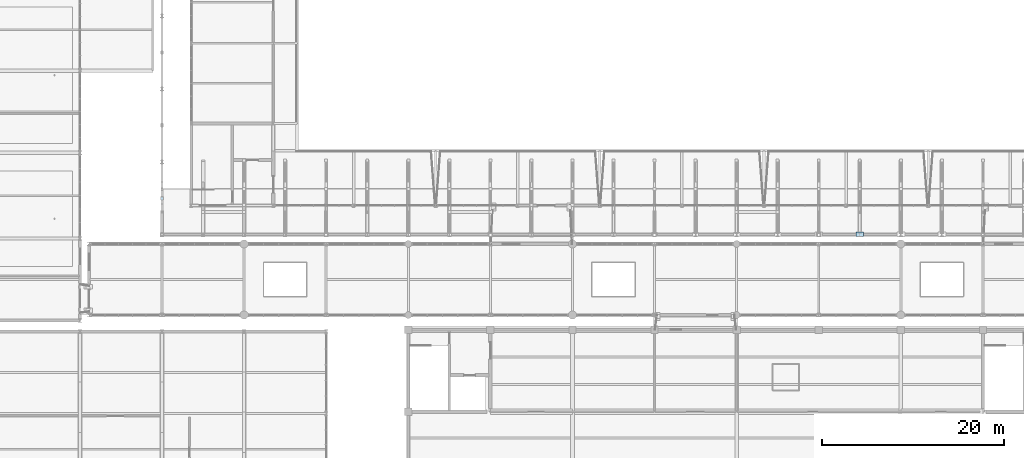
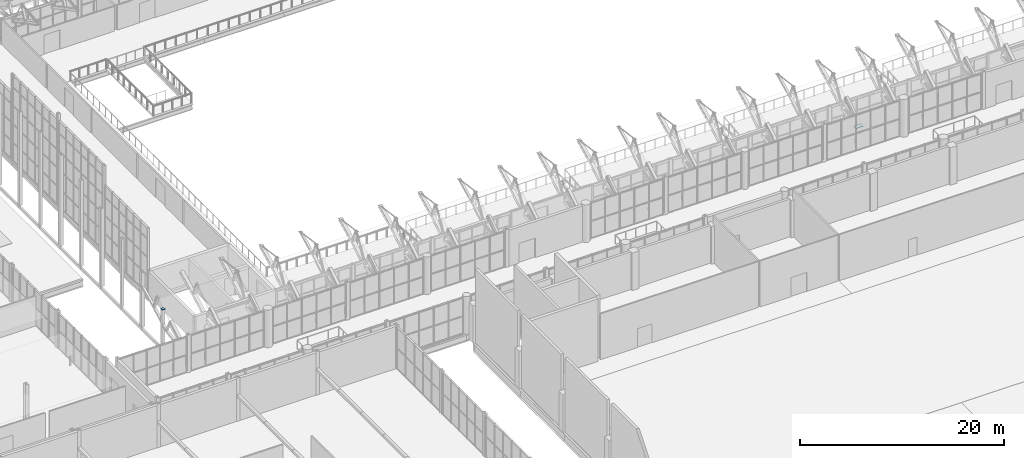
# One storey, part 107 of 134: 2 plates.
"""IFC4 building model written with IfcOpenShell, lengths in metres."""

from ifc_helpers import new_model, si_unit, direction, frame, origin, origin_2d, place, context, subcontext, project, spatial, rectangle, extrude, material, layer, layer_set, type_object, element, save


model = new_model("IFC4")

# Units and contexts
model_context = context("Model", 3, precision=1e-05, world=origin(), true_north=direction((0.0, 1.0)))
body_context = subcontext(model_context, "Body", "Model", "MODEL_VIEW")
ifc_project = project(units=[si_unit("LENGTHUNIT", "METRE"), si_unit("AREAUNIT", "SQUARE_METRE"), si_unit("VOLUMEUNIT", "CUBIC_METRE"), si_unit("PLANEANGLEUNIT", "RADIAN"), si_unit("MASSUNIT", "GRAM", prefix="KILO")], contexts=[model_context])

# Site, building, storey
site_placement = place(None, origin())
site = spatial("IfcSite", under=ifc_project, at=site_placement, CompositionType="ELEMENT")
building_placement = place(site_placement, origin())
building = spatial("IfcBuilding", under=site, at=building_placement, Name="Cazmaro Siding Exhibition Halls", CompositionType="ELEMENT")
storey_placement = place(building_placement, frame((0.0, 0.0, 12.0)))
storey = spatial("IfcBuildingStorey", under=building, at=storey_placement, Name="L02", CompositionType="ELEMENT", Elevation=12.0)

# Plates
ifc_material_1 = material(Name="Steel ASTM A572 Grade 50", Category="steel")
ifc_layer_1 = layer(ifc_material_1, 0.02001953125)
ifc_layer_set_1 = layer_set([ifc_layer_1], Name="Steel ASTM A572 Grade 50")
plate_type_1 = type_object("IfcPlateType", Name="CP-02", PredefinedType="SHEET", material=ifc_layer_set_1)
plate_1_placement = place(storey_placement, frame((45.0, 68.0, 4.47900390625), z_axis=(0.0, 0.0, 1.0), x_axis=(1.0, 0.0, 0.0)))
element("IfcPlate", 1, at=plate_1_placement, inside=storey, type_object=plate_type_1, Name="HSS column top end-cap plate CP-02", PredefinedType="SHEET", context=body_context, shape_type="SweptSolid", body=[
    extrude(rectangle(XDim=0.320068359375, YDim=0.320068359375, at=origin_2d()), origin(), (0.0, 0.0, 1.0), 0.02001953125),
])
ifc_material_2 = material(Name="Steel ASTM A572 Grade 50", Category="steel")
ifc_layer_2 = layer(ifc_material_2, 0.0439453125)
ifc_layer_set_2 = layer_set([ifc_layer_2], Name="Steel ASTM A572 Grade 50")
plate_type_2 = type_object("IfcPlateType", Name="CP-09", PredefinedType="SHEET", material=ifc_layer_set_2)
plate_2_placement = place(storey_placement, frame((121.5, 64.050048828125, 1.927978515625), z_axis=(0.0, 0.0, 1.0), x_axis=(1.0, 0.0, 0.0)))
element("IfcPlate", 2, at=plate_2_placement, inside=storey, type_object=plate_type_2, Name="Space frame vault springing end-cap plate CP-09 node TN-01", PredefinedType="SHEET", context=body_context, shape_type="SweptSolid", body=[
    extrude(rectangle(XDim=0.800048828125, YDim=0.52001953125, at=origin_2d()), origin(), (0.0, 0.0, 1.0), 0.0439453125),
])

save(model, "model.ifc")
